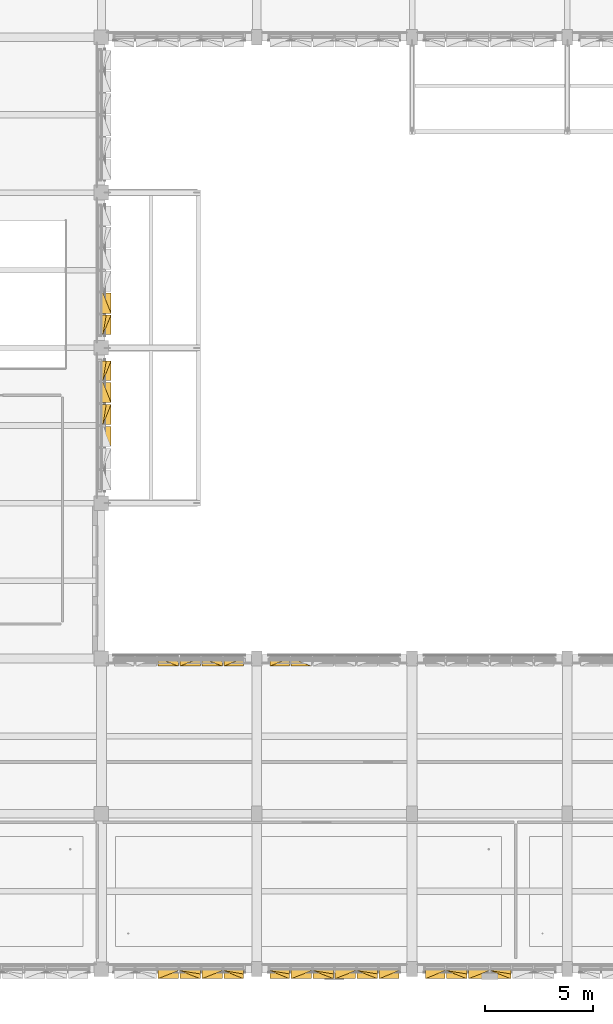
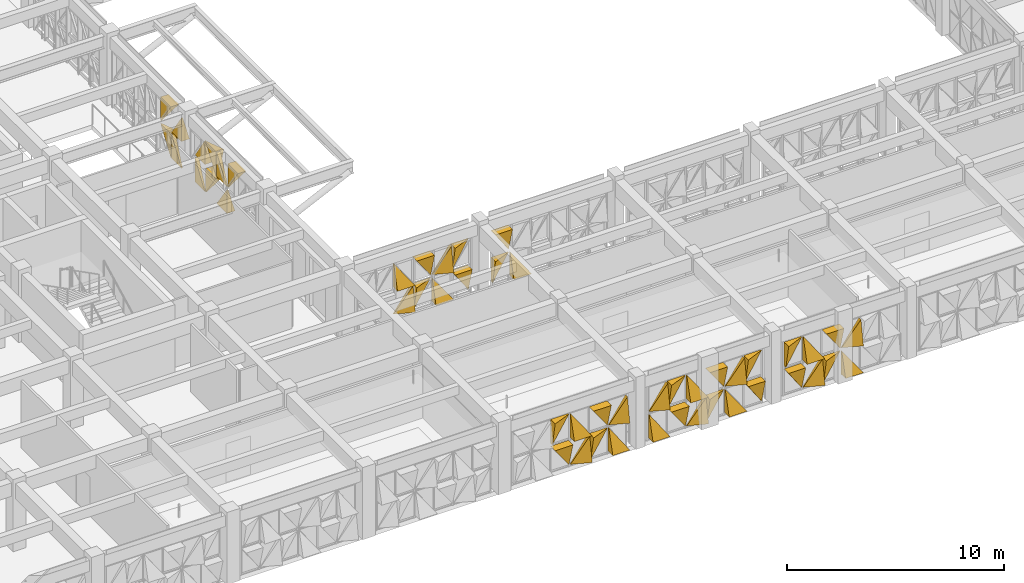
# One storey, part 82 of 88: 50 coverings.
"""IFC4 building model written with IfcOpenShell, lengths in metres."""

from ifc_helpers import new_model, si_unit, direction, frame, origin, place, context, subcontext, project, spatial, polygons, material, layer, layer_set, type_object, element, save


model = new_model("IFC4")

# Units and contexts
model_context = context("Model", 3, precision=1e-05, world=origin(), true_north=direction((0.0, 1.0)))
body_context = subcontext(model_context, "Body", "Model", "MODEL_VIEW")
ifc_project = project(units=[si_unit("LENGTHUNIT", "METRE"), si_unit("AREAUNIT", "SQUARE_METRE"), si_unit("VOLUMEUNIT", "CUBIC_METRE"), si_unit("PLANEANGLEUNIT", "RADIAN"), si_unit("MASSUNIT", "GRAM", prefix="KILO")], contexts=[model_context])

# Site, building, storey
site_placement = place(None, origin())
site = spatial("IfcSite", under=ifc_project, at=site_placement, CompositionType="ELEMENT")
building_placement = place(site_placement, origin())
building = spatial("IfcBuilding", under=site, at=building_placement, Name="Alvorim Cloister Faculty of Sciences", CompositionType="ELEMENT")
storey_placement = place(building_placement, frame((0.0, 0.0, 4.5)))
storey = spatial("IfcBuildingStorey", under=building, at=storey_placement, Name="L01", CompositionType="ELEMENT", Elevation=4.5)

# Coverings
ifc_material = material(Name="Perforated Bronze Alloy Sheet", Category="metal")
ifc_layer = layer(ifc_material, 0.0380859375)
ifc_layer_set = layer_set([ifc_layer], Name="Perforated Bronze Alloy Sheet")
covering_type = type_object("IfcCoveringType", Name="COV-TRI-BRZ", PredefinedType="CLADDING", material=ifc_layer_set)
covering_1_placement = place(storey_placement, frame((28.844970703125, 29.4150390625, 0.159912109375), z_axis=(0.0, 0.0, 1.0), x_axis=(0.0, 1.0, 0.0)))
element("IfcCovering", 1, at=covering_1_placement, inside=storey, type_object=covering_type, Name="Diagonal Solid Metal Triangle TRI-BR", PredefinedType="CLADDING", context=body_context, shape_type="Tessellation", body=[
    polygons([(0.002, 0.0260009765625, 0.0), (0.907470703125, 0.0260009765625, 0.0), (0.907470703125, 0.0260009765625, 1.342970703125), (0.002, -0.03, 0.0), (0.907470703125, -0.4, 0.0), (0.907470703125, -0.18000000000000002, 1.342970703125)], [[[1, 3, 2]], [[4, 5, 6]], [[1, 2, 5, 4]], [[2, 3, 6, 5]], [[3, 1, 4, 6]]], closed=True),
])
covering_2_placement = place(storey_placement, frame((28.844970703125, 29.4150390625, 1.6650390625), z_axis=(0.0, 0.0, 1.0), x_axis=(0.0, 1.0, 0.0)))
element("IfcCovering", 2, at=covering_2_placement, inside=storey, type_object=covering_type, Name="Diagonal Solid Metal Triangle TRI-BL", PredefinedType="CLADDING", context=body_context, shape_type="Tessellation", body=[
    polygons([(0.0, 0.0260009765625, 0.0), (0.905470703125, 0.0260009765625, 0.0), (0.0, 0.0260009765625, 1.342970703125), (0.0, -0.4, 0.0), (0.905470703125, -0.4, 0.0), (0.0, -0.03, 1.342970703125)], [[[1, 3, 2]], [[4, 5, 6]], [[1, 2, 5, 4]], [[2, 3, 6, 5]], [[3, 1, 4, 6]]], closed=True),
])
covering_3_placement = place(storey_placement, frame((28.844970703125, 30.3974609375, 0.159912109375), z_axis=(0.0, 0.0, 1.0), x_axis=(0.0, 1.0, 0.0)))
element("IfcCovering", 3, at=covering_3_placement, inside=storey, type_object=covering_type, Name="Diagonal Solid Metal Triangle TRI-TL", PredefinedType="CLADDING", context=body_context, shape_type="Tessellation", body=[
    polygons([(0.943068359375, 0.0260009765625, 1.344970703125), (0.0, 0.0260009765625, 1.344970703125), (0.0, 0.0260009765625, 0.002), (0.943068359375, -0.03, 1.344970703125), (0.0, -0.4, 1.344970703125), (0.0, -0.13999999999999999, 0.002)], [[[1, 3, 2]], [[4, 5, 6]], [[1, 2, 5, 4]], [[2, 3, 6, 5]], [[3, 1, 4, 6]]], closed=True),
])
for number, where, z_axis, x_axis, name in (
    (4, (28.844970703125, 30.3974609375, 1.6650390625), (0.0, 0.0, 1.0), (0.0, 1.0, 0.0), "Diagonal Solid Metal Triangle TRI-TR"),
    (5, (28.844970703125, 24.217529296875, 1.6650390625), (0.0, 0.0, 1.0), (0.0, 1.0, 0.0), "Diagonal Solid Metal Triangle TRI-TR"),
):
    element("IfcCovering", number, at=place(storey_placement, frame(where, z_axis=z_axis, x_axis=x_axis)), inside=storey, type_object=covering_type, Name=name, PredefinedType="CLADDING", context=body_context, shape_type="Tessellation", body=[
        polygons([(0.945068359375, 0.0260009765625, 0.002), (0.945068359375, 0.0260009765625, 1.344970703125), (0.002, 0.0260009765625, 1.344970703125), (0.945068359375, -0.03, 0.002), (0.945068359375, -0.4, 1.344970703125), (0.002, -0.4, 1.344970703125)], [[[1, 3, 2]], [[4, 5, 6]], [[1, 2, 5, 4]], [[2, 3, 6, 5]], [[3, 1, 4, 6]]], closed=True),
    ])
covering_4_placement = place(storey_placement, frame((28.844970703125, 25.237548828125, 0.159912109375), z_axis=(0.0, 0.0, 1.0), x_axis=(0.0, 1.0, 0.0)))
element("IfcCovering", 6, at=covering_4_placement, inside=storey, type_object=covering_type, Name="Diagonal Solid Metal Triangle TRI-BL", PredefinedType="CLADDING", context=body_context, shape_type="Tessellation", body=[
    polygons([(0.0, 0.0260009765625, 0.0), (0.943068359375, 0.0260009765625, 0.0), (0.0, 0.0260009765625, 1.342970703125), (0.0, -0.4, 0.0), (0.943068359375, -0.4, 0.0), (0.0, -0.03, 1.342970703125)], [[[1, 3, 2]], [[4, 5, 6]], [[1, 2, 5, 4]], [[2, 3, 6, 5]], [[3, 1, 4, 6]]], closed=True),
])
covering_5_placement = place(storey_placement, frame((28.844970703125, 25.237548828125, 1.6650390625), z_axis=(0.0, 0.0, 1.0), x_axis=(0.0, 1.0, 0.0)))
element("IfcCovering", 7, at=covering_5_placement, inside=storey, type_object=covering_type, Name="Diagonal Solid Metal Triangle TRI-BR", PredefinedType="CLADDING", context=body_context, shape_type="Tessellation", body=[
    polygons([(0.002, 0.0260009765625, 0.0), (0.945068359375, 0.0260009765625, 0.0), (0.945068359375, 0.0260009765625, 1.342970703125), (0.002, -0.03, 0.0), (0.945068359375, -0.4, 0.0), (0.945068359375, -0.18000000000000002, 1.342970703125)], [[[1, 3, 2]], [[4, 5, 6]], [[1, 2, 5, 4]], [[2, 3, 6, 5]], [[3, 1, 4, 6]]], closed=True),
])
covering_6_placement = place(storey_placement, frame((28.844970703125, 26.257568359375, 0.159912109375), z_axis=(0.0, 0.0, 1.0), x_axis=(0.0, 1.0, 0.0)))
element("IfcCovering", 8, at=covering_6_placement, inside=storey, type_object=covering_type, Name="Diagonal Solid Metal Triangle TRI-TR", PredefinedType="CLADDING", context=body_context, shape_type="Tessellation", body=[
    polygons([(0.945068359375, 0.0260009765625, 0.002), (0.945068359375, 0.0260009765625, 1.344970703125), (0.002, 0.0260009765625, 1.344970703125), (0.945068359375, -0.03, 0.002), (0.945068359375, -0.4, 1.344970703125), (0.002, -0.4, 1.344970703125)], [[[1, 3, 2]], [[4, 5, 6]], [[1, 2, 5, 4]], [[2, 3, 6, 5]], [[3, 1, 4, 6]]], closed=True),
])
covering_7_placement = place(storey_placement, frame((28.844970703125, 26.257568359375, 1.6650390625), z_axis=(0.0, 0.0, 1.0), x_axis=(0.0, 1.0, 0.0)))
element("IfcCovering", 9, at=covering_7_placement, inside=storey, type_object=covering_type, Name="Diagonal Solid Metal Triangle TRI-TL", PredefinedType="CLADDING", context=body_context, shape_type="Tessellation", body=[
    polygons([(0.943068359375, 0.0260009765625, 1.344970703125), (0.0, 0.0260009765625, 1.344970703125), (0.0, 0.0260009765625, 0.002), (0.943068359375, -0.03, 1.344970703125), (0.0, -0.4, 1.344970703125), (0.0, -0.13999999999999999, 0.002)], [[[1, 3, 2]], [[4, 5, 6]], [[1, 2, 5, 4]], [[2, 3, 6, 5]], [[3, 1, 4, 6]]], closed=True),
])
covering_8_placement = place(storey_placement, frame((28.844970703125, 27.277587890625, 0.159912109375), z_axis=(0.0, 0.0, 1.0), x_axis=(0.0, 1.0, 0.0)))
element("IfcCovering", 10, at=covering_8_placement, inside=storey, type_object=covering_type, Name="Diagonal Solid Metal Triangle TRI-BR", PredefinedType="CLADDING", context=body_context, shape_type="Tessellation", body=[
    polygons([(0.002, 0.0260009765625, 0.0), (0.907470703125, 0.0260009765625, 0.0), (0.907470703125, 0.0260009765625, 1.342970703125), (0.002, -0.03, 0.0), (0.907470703125, -0.4, 0.0), (0.907470703125, -0.18000000000000002, 1.342970703125)], [[[1, 3, 2]], [[4, 5, 6]], [[1, 2, 5, 4]], [[2, 3, 6, 5]], [[3, 1, 4, 6]]], closed=True),
])
covering_9_placement = place(storey_placement, frame((28.844970703125, 27.277587890625, 1.6650390625), z_axis=(0.0, 0.0, 1.0), x_axis=(0.0, 1.0, 0.0)))
element("IfcCovering", 11, at=covering_9_placement, inside=storey, type_object=covering_type, Name="Diagonal Solid Metal Triangle TRI-BL", PredefinedType="CLADDING", context=body_context, shape_type="Tessellation", body=[
    polygons([(0.0, 0.0260009765625, 0.0), (0.905470703125, 0.0260009765625, 0.0), (0.0, 0.0260009765625, 1.342970703125), (0.0, -0.4, 0.0), (0.905470703125, -0.4, 0.0), (0.0, -0.03, 1.342970703125)], [[[1, 3, 2]], [[4, 5, 6]], [[1, 2, 5, 4]], [[2, 3, 6, 5]], [[3, 1, 4, 6]]], closed=True),
])
covering_10_placement = place(storey_placement, frame((31.41748046875, 14.445068359375, 0.159912109375), z_axis=(0.0, 0.0, 1.0), x_axis=(1.0, 0.0, 0.0)))
element("IfcCovering", 12, at=covering_10_placement, inside=storey, type_object=covering_type, Name="Diagonal Solid Metal Triangle TRI-BR", PredefinedType="CLADDING", context=body_context, shape_type="Tessellation", body=[
    polygons([(0.002, 0.0260009765625, 0.0), (0.945068359375, 0.0260009765625, 0.0), (0.945068359375, 0.0260009765625, 1.342970703125), (0.002, -0.03, 0.0), (0.945068359375, -0.4, 0.0), (0.945068359375, -0.18000000000000002, 1.342970703125)], [[[1, 3, 2]], [[4, 5, 6]], [[1, 2, 5, 4]], [[2, 3, 6, 5]], [[3, 1, 4, 6]]], closed=True),
])
covering_11_placement = place(storey_placement, frame((31.41748046875, 14.445068359375, 1.6650390625), z_axis=(0.0, 0.0, 1.0), x_axis=(1.0, 0.0, 0.0)))
element("IfcCovering", 13, at=covering_11_placement, inside=storey, type_object=covering_type, Name="Diagonal Solid Metal Triangle TRI-BL", PredefinedType="CLADDING", context=body_context, shape_type="Tessellation", body=[
    polygons([(0.0, 0.0260009765625, 0.0), (0.943068359375, 0.0260009765625, 0.0), (0.0, 0.0260009765625, 1.342970703125), (0.0, -0.4, 0.0), (0.943068359375, -0.4, 0.0), (0.0, -0.03, 1.342970703125)], [[[1, 3, 2]], [[4, 5, 6]], [[1, 2, 5, 4]], [[2, 3, 6, 5]], [[3, 1, 4, 6]]], closed=True),
])
covering_12_placement = place(storey_placement, frame((32.4375, 14.445068359375, 0.159912109375), z_axis=(0.0, 0.0, 1.0), x_axis=(1.0, 0.0, 0.0)))
element("IfcCovering", 14, at=covering_12_placement, inside=storey, type_object=covering_type, Name="Diagonal Solid Metal Triangle TRI-TL", PredefinedType="CLADDING", context=body_context, shape_type="Tessellation", body=[
    polygons([(0.943068359375, 0.0260009765625, 1.344970703125), (0.0, 0.0260009765625, 1.344970703125), (0.0, 0.0260009765625, 0.002), (0.943068359375, -0.03, 1.344970703125), (0.0, -0.4, 1.344970703125), (0.0, -0.13999999999999999, 0.002)], [[[1, 3, 2]], [[4, 5, 6]], [[1, 2, 5, 4]], [[2, 3, 6, 5]], [[3, 1, 4, 6]]], closed=True),
])
covering_13_placement = place(storey_placement, frame((32.4375, 14.445068359375, 1.6650390625), z_axis=(0.0, 0.0, 1.0), x_axis=(1.0, 0.0, 0.0)))
element("IfcCovering", 15, at=covering_13_placement, inside=storey, type_object=covering_type, Name="Diagonal Solid Metal Triangle TRI-TR", PredefinedType="CLADDING", context=body_context, shape_type="Tessellation", body=[
    polygons([(0.945068359375, 0.0260009765625, 0.002), (0.945068359375, 0.0260009765625, 1.344970703125), (0.002, 0.0260009765625, 1.344970703125), (0.945068359375, -0.03, 0.002), (0.945068359375, -0.4, 1.344970703125), (0.002, -0.4, 1.344970703125)], [[[1, 3, 2]], [[4, 5, 6]], [[1, 2, 5, 4]], [[2, 3, 6, 5]], [[3, 1, 4, 6]]], closed=True),
])
covering_14_placement = place(storey_placement, frame((33.45751953125, 14.445068359375, 0.159912109375), z_axis=(0.0, 0.0, 1.0), x_axis=(1.0, 0.0, 0.0)))
element("IfcCovering", 16, at=covering_14_placement, inside=storey, type_object=covering_type, Name="Diagonal Solid Metal Triangle TRI-BL", PredefinedType="CLADDING", context=body_context, shape_type="Tessellation", body=[
    polygons([(0.0, 0.0260009765625, 0.0), (0.943068359375, 0.0260009765625, 0.0), (0.0, 0.0260009765625, 1.342970703125), (0.0, -0.4, 0.0), (0.943068359375, -0.4, 0.0), (0.0, -0.03, 1.342970703125)], [[[1, 3, 2]], [[4, 5, 6]], [[1, 2, 5, 4]], [[2, 3, 6, 5]], [[3, 1, 4, 6]]], closed=True),
])
covering_15_placement = place(storey_placement, frame((33.45751953125, 14.445068359375, 1.6650390625), z_axis=(0.0, 0.0, 1.0), x_axis=(1.0, 0.0, 0.0)))
element("IfcCovering", 17, at=covering_15_placement, inside=storey, type_object=covering_type, Name="Diagonal Solid Metal Triangle TRI-BR", PredefinedType="CLADDING", context=body_context, shape_type="Tessellation", body=[
    polygons([(0.002, 0.0260009765625, 0.0), (0.945068359375, 0.0260009765625, 0.0), (0.945068359375, 0.0260009765625, 1.342970703125), (0.002, -0.03, 0.0), (0.945068359375, -0.4, 0.0), (0.945068359375, -0.18000000000000002, 1.342970703125)], [[[1, 3, 2]], [[4, 5, 6]], [[1, 2, 5, 4]], [[2, 3, 6, 5]], [[3, 1, 4, 6]]], closed=True),
])
covering_16_placement = place(storey_placement, frame((34.4775390625, 14.445068359375, 0.159912109375), z_axis=(0.0, 0.0, 1.0), x_axis=(1.0, 0.0, 0.0)))
element("IfcCovering", 18, at=covering_16_placement, inside=storey, type_object=covering_type, Name="Diagonal Solid Metal Triangle TRI-TR", PredefinedType="CLADDING", context=body_context, shape_type="Tessellation", body=[
    polygons([(0.907470703125, 0.0260009765625, 0.002), (0.907470703125, 0.0260009765625, 1.344970703125), (0.002, 0.0260009765625, 1.344970703125), (0.907470703125, -0.03, 0.002), (0.907470703125, -0.4, 1.344970703125), (0.002, -0.4, 1.344970703125)], [[[1, 3, 2]], [[4, 5, 6]], [[1, 2, 5, 4]], [[2, 3, 6, 5]], [[3, 1, 4, 6]]], closed=True),
])
for number, where, z_axis, x_axis, name in (
    (19, (34.4775390625, 14.445068359375, 1.6650390625), (0.0, 0.0, 1.0), (1.0, 0.0, 0.0), "Diagonal Solid Metal Triangle TRI-TL"),
    (20, (36.614990234375, 14.445068359375, 0.159912109375), (0.0, 0.0, 1.0), (1.0, 0.0, 0.0), "Diagonal Solid Metal Triangle TRI-TL"),
):
    element("IfcCovering", number, at=place(storey_placement, frame(where, z_axis=z_axis, x_axis=x_axis)), inside=storey, type_object=covering_type, Name=name, PredefinedType="CLADDING", context=body_context, shape_type="Tessellation", body=[
        polygons([(0.905470703125, 0.0260009765625, 1.344970703125), (0.0, 0.0260009765625, 1.344970703125), (0.0, 0.0260009765625, 0.002), (0.905470703125, -0.03, 1.344970703125), (0.0, -0.4, 1.344970703125), (0.0, -0.13999999999999999, 0.002)], [[[1, 3, 2]], [[4, 5, 6]], [[1, 2, 5, 4]], [[2, 3, 6, 5]], [[3, 1, 4, 6]]], closed=True),
    ])
covering_17_placement = place(storey_placement, frame((36.614990234375, 14.445068359375, 1.6650390625), z_axis=(0.0, 0.0, 1.0), x_axis=(1.0, 0.0, 0.0)))
element("IfcCovering", 21, at=covering_17_placement, inside=storey, type_object=covering_type, Name="Diagonal Solid Metal Triangle TRI-TR", PredefinedType="CLADDING", context=body_context, shape_type="Tessellation", body=[
    polygons([(0.907470703125, 0.0260009765625, 0.002), (0.907470703125, 0.0260009765625, 1.344970703125), (0.002, 0.0260009765625, 1.344970703125), (0.907470703125, -0.03, 0.002), (0.907470703125, -0.4, 1.344970703125), (0.002, -0.4, 1.344970703125)], [[[1, 3, 2]], [[4, 5, 6]], [[1, 2, 5, 4]], [[2, 3, 6, 5]], [[3, 1, 4, 6]]], closed=True),
])
covering_18_placement = place(storey_placement, frame((37.597412109375, 14.445068359375, 0.159912109375), z_axis=(0.0, 0.0, 1.0), x_axis=(1.0, 0.0, 0.0)))
element("IfcCovering", 22, at=covering_18_placement, inside=storey, type_object=covering_type, Name="Diagonal Solid Metal Triangle TRI-BL", PredefinedType="CLADDING", context=body_context, shape_type="Tessellation", body=[
    polygons([(0.0, 0.0260009765625, 0.0), (0.943068359375, 0.0260009765625, 0.0), (0.0, 0.0260009765625, 1.342970703125), (0.0, -0.4, 0.0), (0.943068359375, -0.4, 0.0), (0.0, -0.03, 1.342970703125)], [[[1, 3, 2]], [[4, 5, 6]], [[1, 2, 5, 4]], [[2, 3, 6, 5]], [[3, 1, 4, 6]]], closed=True),
])
covering_19_placement = place(storey_placement, frame((43.81494140625, -0.044921875, 0.159912109375), z_axis=(0.0, 0.0, 1.0), x_axis=(1.0, 0.0, 0.0)))
element("IfcCovering", 23, at=covering_19_placement, inside=storey, type_object=covering_type, Name="Diagonal Solid Metal Triangle TRI-TR", PredefinedType="CLADDING", context=body_context, shape_type="Tessellation", body=[
    polygons([(0.907470703125, 0.0260009765625, 0.002), (0.907470703125, 0.0260009765625, 1.344970703125), (0.002, 0.0260009765625, 1.344970703125), (0.907470703125, -0.03, 0.002), (0.907470703125, -0.4, 1.344970703125), (0.002, -0.4, 1.344970703125)], [[[1, 3, 2]], [[4, 5, 6]], [[1, 2, 5, 4]], [[2, 3, 6, 5]], [[3, 1, 4, 6]]], closed=True),
])
covering_20_placement = place(storey_placement, frame((43.81494140625, -0.044921875, 1.6650390625), z_axis=(0.0, 0.0, 1.0), x_axis=(1.0, 0.0, 0.0)))
element("IfcCovering", 24, at=covering_20_placement, inside=storey, type_object=covering_type, Name="Diagonal Solid Metal Triangle TRI-TL", PredefinedType="CLADDING", context=body_context, shape_type="Tessellation", body=[
    polygons([(0.905470703125, 0.0260009765625, 1.344970703125), (0.0, 0.0260009765625, 1.344970703125), (0.0, 0.0260009765625, 0.002), (0.905470703125, -0.03, 1.344970703125), (0.0, -0.4, 1.344970703125), (0.0, -0.13999999999999999, 0.002)], [[[1, 3, 2]], [[4, 5, 6]], [[1, 2, 5, 4]], [[2, 3, 6, 5]], [[3, 1, 4, 6]]], closed=True),
])
covering_21_placement = place(storey_placement, frame((44.797607421875, -0.044921875, 0.159912109375), z_axis=(0.0, 0.0, 1.0), x_axis=(1.0, 0.0, 0.0)))
element("IfcCovering", 25, at=covering_21_placement, inside=storey, type_object=covering_type, Name="Diagonal Solid Metal Triangle TRI-BR", PredefinedType="CLADDING", context=body_context, shape_type="Tessellation", body=[
    polygons([(0.002, 0.0260009765625, 0.0), (0.945068359375, 0.0260009765625, 0.0), (0.945068359375, 0.0260009765625, 1.342970703125), (0.002, -0.03, 0.0), (0.945068359375, -0.4, 0.0), (0.945068359375, -0.18000000000000002, 1.342970703125)], [[[1, 3, 2]], [[4, 5, 6]], [[1, 2, 5, 4]], [[2, 3, 6, 5]], [[3, 1, 4, 6]]], closed=True),
])
covering_22_placement = place(storey_placement, frame((44.797607421875, -0.044921875, 1.6650390625), z_axis=(0.0, 0.0, 1.0), x_axis=(1.0, 0.0, 0.0)))
element("IfcCovering", 26, at=covering_22_placement, inside=storey, type_object=covering_type, Name="Diagonal Solid Metal Triangle TRI-BL", PredefinedType="CLADDING", context=body_context, shape_type="Tessellation", body=[
    polygons([(0.0, 0.0260009765625, 0.0), (0.943068359375, 0.0260009765625, 0.0), (0.0, 0.0260009765625, 1.342970703125), (0.0, -0.4, 0.0), (0.943068359375, -0.4, 0.0), (0.0, -0.03, 1.342970703125)], [[[1, 3, 2]], [[4, 5, 6]], [[1, 2, 5, 4]], [[2, 3, 6, 5]], [[3, 1, 4, 6]]], closed=True),
])
covering_23_placement = place(storey_placement, frame((45.8173828125, -0.044921875, 0.159912109375), z_axis=(0.0, 0.0, 1.0), x_axis=(1.0, 0.0, 0.0)))
element("IfcCovering", 27, at=covering_23_placement, inside=storey, type_object=covering_type, Name="Diagonal Solid Metal Triangle TRI-TL", PredefinedType="CLADDING", context=body_context, shape_type="Tessellation", body=[
    polygons([(0.943068359375, 0.0260009765625, 1.344970703125), (0.0, 0.0260009765625, 1.344970703125), (0.0, 0.0260009765625, 0.002), (0.943068359375, -0.03, 1.344970703125), (0.0, -0.4, 1.344970703125), (0.0, -0.13999999999999999, 0.002)], [[[1, 3, 2]], [[4, 5, 6]], [[1, 2, 5, 4]], [[2, 3, 6, 5]], [[3, 1, 4, 6]]], closed=True),
])
covering_24_placement = place(storey_placement, frame((45.8173828125, -0.044921875, 1.6650390625), z_axis=(0.0, 0.0, 1.0), x_axis=(1.0, 0.0, 0.0)))
element("IfcCovering", 28, at=covering_24_placement, inside=storey, type_object=covering_type, Name="Diagonal Solid Metal Triangle TRI-TR", PredefinedType="CLADDING", context=body_context, shape_type="Tessellation", body=[
    polygons([(0.945068359375, 0.0260009765625, 0.002), (0.945068359375, 0.0260009765625, 1.344970703125), (0.002, 0.0260009765625, 1.344970703125), (0.945068359375, -0.03, 0.002), (0.945068359375, -0.4, 1.344970703125), (0.002, -0.4, 1.344970703125)], [[[1, 3, 2]], [[4, 5, 6]], [[1, 2, 5, 4]], [[2, 3, 6, 5]], [[3, 1, 4, 6]]], closed=True),
])
covering_25_placement = place(storey_placement, frame((46.83740234375, -0.044921875, 0.159912109375), z_axis=(0.0, 0.0, 1.0), x_axis=(1.0, 0.0, 0.0)))
element("IfcCovering", 29, at=covering_25_placement, inside=storey, type_object=covering_type, Name="Diagonal Solid Metal Triangle TRI-BL", PredefinedType="CLADDING", context=body_context, shape_type="Tessellation", body=[
    polygons([(0.0, 0.0260009765625, 0.0), (0.943068359375, 0.0260009765625, 0.0), (0.0, 0.0260009765625, 1.342970703125), (0.0, -0.4, 0.0), (0.943068359375, -0.4, 0.0), (0.0, -0.03, 1.342970703125)], [[[1, 3, 2]], [[4, 5, 6]], [[1, 2, 5, 4]], [[2, 3, 6, 5]], [[3, 1, 4, 6]]], closed=True),
])
covering_26_placement = place(storey_placement, frame((46.83740234375, -0.044921875, 1.6650390625), z_axis=(0.0, 0.0, 1.0), x_axis=(1.0, 0.0, 0.0)))
element("IfcCovering", 30, at=covering_26_placement, inside=storey, type_object=covering_type, Name="Diagonal Solid Metal Triangle TRI-BR", PredefinedType="CLADDING", context=body_context, shape_type="Tessellation", body=[
    polygons([(0.002, 0.0260009765625, 0.0), (0.945068359375, 0.0260009765625, 0.0), (0.945068359375, 0.0260009765625, 1.342970703125), (0.002, -0.03, 0.0), (0.945068359375, -0.4, 0.0), (0.945068359375, -0.18000000000000002, 1.342970703125)], [[[1, 3, 2]], [[4, 5, 6]], [[1, 2, 5, 4]], [[2, 3, 6, 5]], [[3, 1, 4, 6]]], closed=True),
])
covering_27_placement = place(storey_placement, frame((36.614990234375, -0.044921875, 0.159912109375), z_axis=(0.0, 0.0, 1.0), x_axis=(1.0, 0.0, 0.0)))
element("IfcCovering", 31, at=covering_27_placement, inside=storey, type_object=covering_type, Name="Diagonal Solid Metal Triangle TRI-BL", PredefinedType="CLADDING", context=body_context, shape_type="Tessellation", body=[
    polygons([(0.0, 0.0260009765625, 0.0), (0.905470703125, 0.0260009765625, 0.0), (0.0, 0.0260009765625, 1.342970703125), (0.0, -0.4, 0.0), (0.905470703125, -0.4, 0.0), (0.0, -0.03, 1.342970703125)], [[[1, 3, 2]], [[4, 5, 6]], [[1, 2, 5, 4]], [[2, 3, 6, 5]], [[3, 1, 4, 6]]], closed=True),
])
covering_28_placement = place(storey_placement, frame((36.614990234375, -0.044921875, 1.6650390625), z_axis=(0.0, 0.0, 1.0), x_axis=(1.0, 0.0, 0.0)))
element("IfcCovering", 32, at=covering_28_placement, inside=storey, type_object=covering_type, Name="Diagonal Solid Metal Triangle TRI-BR", PredefinedType="CLADDING", context=body_context, shape_type="Tessellation", body=[
    polygons([(0.002, 0.0260009765625, 0.0), (0.907470703125, 0.0260009765625, 0.0), (0.907470703125, 0.0260009765625, 1.342970703125), (0.002, -0.03, 0.0), (0.907470703125, -0.4, 0.0), (0.907470703125, -0.18000000000000002, 1.342970703125)], [[[1, 3, 2]], [[4, 5, 6]], [[1, 2, 5, 4]], [[2, 3, 6, 5]], [[3, 1, 4, 6]]], closed=True),
])
covering_29_placement = place(storey_placement, frame((37.597412109375, -0.044921875, 0.159912109375), z_axis=(0.0, 0.0, 1.0), x_axis=(1.0, 0.0, 0.0)))
element("IfcCovering", 33, at=covering_29_placement, inside=storey, type_object=covering_type, Name="Diagonal Solid Metal Triangle TRI-TR", PredefinedType="CLADDING", context=body_context, shape_type="Tessellation", body=[
    polygons([(0.945068359375, 0.0260009765625, 0.002), (0.945068359375, 0.0260009765625, 1.344970703125), (0.002, 0.0260009765625, 1.344970703125), (0.945068359375, -0.03, 0.002), (0.945068359375, -0.4, 1.344970703125), (0.002, -0.4, 1.344970703125)], [[[1, 3, 2]], [[4, 5, 6]], [[1, 2, 5, 4]], [[2, 3, 6, 5]], [[3, 1, 4, 6]]], closed=True),
])
covering_30_placement = place(storey_placement, frame((37.597412109375, -0.044921875, 1.6650390625), z_axis=(0.0, 0.0, 1.0), x_axis=(1.0, 0.0, 0.0)))
element("IfcCovering", 34, at=covering_30_placement, inside=storey, type_object=covering_type, Name="Diagonal Solid Metal Triangle TRI-TL", PredefinedType="CLADDING", context=body_context, shape_type="Tessellation", body=[
    polygons([(0.943068359375, 0.0260009765625, 1.344970703125), (0.0, 0.0260009765625, 1.344970703125), (0.0, 0.0260009765625, 0.002), (0.943068359375, -0.03, 1.344970703125), (0.0, -0.4, 1.344970703125), (0.0, -0.13999999999999999, 0.002)], [[[1, 3, 2]], [[4, 5, 6]], [[1, 2, 5, 4]], [[2, 3, 6, 5]], [[3, 1, 4, 6]]], closed=True),
])
covering_31_placement = place(storey_placement, frame((38.617431640625, -0.044921875, 0.159912109375), z_axis=(0.0, 0.0, 1.0), x_axis=(1.0, 0.0, 0.0)))
element("IfcCovering", 35, at=covering_31_placement, inside=storey, type_object=covering_type, Name="Diagonal Solid Metal Triangle TRI-BR", PredefinedType="CLADDING", context=body_context, shape_type="Tessellation", body=[
    polygons([(0.002, 0.0260009765625, 0.0), (0.945068359375, 0.0260009765625, 0.0), (0.945068359375, 0.0260009765625, 1.342970703125), (0.002, -0.03, 0.0), (0.945068359375, -0.4, 0.0), (0.945068359375, -0.18000000000000002, 1.342970703125)], [[[1, 3, 2]], [[4, 5, 6]], [[1, 2, 5, 4]], [[2, 3, 6, 5]], [[3, 1, 4, 6]]], closed=True),
])
covering_32_placement = place(storey_placement, frame((38.617431640625, -0.044921875, 1.6650390625), z_axis=(0.0, 0.0, 1.0), x_axis=(1.0, 0.0, 0.0)))
element("IfcCovering", 36, at=covering_32_placement, inside=storey, type_object=covering_type, Name="Diagonal Solid Metal Triangle TRI-BL", PredefinedType="CLADDING", context=body_context, shape_type="Tessellation", body=[
    polygons([(0.0, 0.0260009765625, 0.0), (0.943068359375, 0.0260009765625, 0.0), (0.0, 0.0260009765625, 1.342970703125), (0.0, -0.4, 0.0), (0.943068359375, -0.4, 0.0), (0.0, -0.03, 1.342970703125)], [[[1, 3, 2]], [[4, 5, 6]], [[1, 2, 5, 4]], [[2, 3, 6, 5]], [[3, 1, 4, 6]]], closed=True),
])
covering_33_placement = place(storey_placement, frame((39.637451171875, -0.044921875, 0.159912109375), z_axis=(0.0, 0.0, 1.0), x_axis=(1.0, 0.0, 0.0)))
element("IfcCovering", 37, at=covering_33_placement, inside=storey, type_object=covering_type, Name="Diagonal Solid Metal Triangle TRI-TL", PredefinedType="CLADDING", context=body_context, shape_type="Tessellation", body=[
    polygons([(0.943068359375, 0.0260009765625, 1.344970703125), (0.0, 0.0260009765625, 1.344970703125), (0.0, 0.0260009765625, 0.002), (0.943068359375, -0.03, 1.344970703125), (0.0, -0.4, 1.344970703125), (0.0, -0.13999999999999999, 0.002)], [[[1, 3, 2]], [[4, 5, 6]], [[1, 2, 5, 4]], [[2, 3, 6, 5]], [[3, 1, 4, 6]]], closed=True),
])
covering_34_placement = place(storey_placement, frame((39.637451171875, -0.044921875, 1.6650390625), z_axis=(0.0, 0.0, 1.0), x_axis=(1.0, 0.0, 0.0)))
element("IfcCovering", 38, at=covering_34_placement, inside=storey, type_object=covering_type, Name="Diagonal Solid Metal Triangle TRI-TR", PredefinedType="CLADDING", context=body_context, shape_type="Tessellation", body=[
    polygons([(0.945068359375, 0.0260009765625, 0.002), (0.945068359375, 0.0260009765625, 1.344970703125), (0.002, 0.0260009765625, 1.344970703125), (0.945068359375, -0.03, 0.002), (0.945068359375, -0.4, 1.344970703125), (0.002, -0.4, 1.344970703125)], [[[1, 3, 2]], [[4, 5, 6]], [[1, 2, 5, 4]], [[2, 3, 6, 5]], [[3, 1, 4, 6]]], closed=True),
])
covering_35_placement = place(storey_placement, frame((40.657470703125, -0.044921875, 0.159912109375), z_axis=(0.0, 0.0, 1.0), x_axis=(1.0, 0.0, 0.0)))
element("IfcCovering", 39, at=covering_35_placement, inside=storey, type_object=covering_type, Name="Diagonal Solid Metal Triangle TRI-BL", PredefinedType="CLADDING", context=body_context, shape_type="Tessellation", body=[
    polygons([(0.0, 0.0260009765625, 0.0), (0.943068359375, 0.0260009765625, 0.0), (0.0, 0.0260009765625, 1.342970703125), (0.0, -0.4, 0.0), (0.943068359375, -0.4, 0.0), (0.0, -0.03, 1.342970703125)], [[[1, 3, 2]], [[4, 5, 6]], [[1, 2, 5, 4]], [[2, 3, 6, 5]], [[3, 1, 4, 6]]], closed=True),
])
covering_36_placement = place(storey_placement, frame((40.657470703125, -0.044921875, 1.6650390625), z_axis=(0.0, 0.0, 1.0), x_axis=(1.0, 0.0, 0.0)))
element("IfcCovering", 40, at=covering_36_placement, inside=storey, type_object=covering_type, Name="Diagonal Solid Metal Triangle TRI-BR", PredefinedType="CLADDING", context=body_context, shape_type="Tessellation", body=[
    polygons([(0.002, 0.0260009765625, 0.0), (0.945068359375, 0.0260009765625, 0.0), (0.945068359375, 0.0260009765625, 1.342970703125), (0.002, -0.03, 0.0), (0.945068359375, -0.4, 0.0), (0.945068359375, -0.18000000000000002, 1.342970703125)], [[[1, 3, 2]], [[4, 5, 6]], [[1, 2, 5, 4]], [[2, 3, 6, 5]], [[3, 1, 4, 6]]], closed=True),
])
covering_37_placement = place(storey_placement, frame((41.677490234375, -0.044921875, 0.159912109375), z_axis=(0.0, 0.0, 1.0), x_axis=(1.0, 0.0, 0.0)))
element("IfcCovering", 41, at=covering_37_placement, inside=storey, type_object=covering_type, Name="Diagonal Solid Metal Triangle TRI-TR", PredefinedType="CLADDING", context=body_context, shape_type="Tessellation", body=[
    polygons([(0.907470703125, 0.0260009765625, 0.002), (0.907470703125, 0.0260009765625, 1.344970703125), (0.002, 0.0260009765625, 1.344970703125), (0.907470703125, -0.03, 0.002), (0.907470703125, -0.4, 1.344970703125), (0.002, -0.4, 1.344970703125)], [[[1, 3, 2]], [[4, 5, 6]], [[1, 2, 5, 4]], [[2, 3, 6, 5]], [[3, 1, 4, 6]]], closed=True),
])
covering_38_placement = place(storey_placement, frame((41.677490234375, -0.044921875, 1.6650390625), z_axis=(0.0, 0.0, 1.0), x_axis=(1.0, 0.0, 0.0)))
element("IfcCovering", 42, at=covering_38_placement, inside=storey, type_object=covering_type, Name="Diagonal Solid Metal Triangle TRI-TL", PredefinedType="CLADDING", context=body_context, shape_type="Tessellation", body=[
    polygons([(0.905470703125, 0.0260009765625, 1.344970703125), (0.0, 0.0260009765625, 1.344970703125), (0.0, 0.0260009765625, 0.002), (0.905470703125, -0.03, 1.344970703125), (0.0, -0.4, 1.344970703125), (0.0, -0.13999999999999999, 0.002)], [[[1, 3, 2]], [[4, 5, 6]], [[1, 2, 5, 4]], [[2, 3, 6, 5]], [[3, 1, 4, 6]]], closed=True),
])
covering_39_placement = place(storey_placement, frame((31.41748046875, -0.044921875, 0.159912109375), z_axis=(0.0, 0.0, 1.0), x_axis=(1.0, 0.0, 0.0)))
element("IfcCovering", 43, at=covering_39_placement, inside=storey, type_object=covering_type, Name="Diagonal Solid Metal Triangle TRI-TR", PredefinedType="CLADDING", context=body_context, shape_type="Tessellation", body=[
    polygons([(0.945068359375, 0.0260009765625, 0.002), (0.945068359375, 0.0260009765625, 1.344970703125), (0.002, 0.0260009765625, 1.344970703125), (0.945068359375, -0.03, 0.002), (0.945068359375, -0.4, 1.344970703125), (0.002, -0.4, 1.344970703125)], [[[1, 3, 2]], [[4, 5, 6]], [[1, 2, 5, 4]], [[2, 3, 6, 5]], [[3, 1, 4, 6]]], closed=True),
])
covering_40_placement = place(storey_placement, frame((31.41748046875, -0.044921875, 1.6650390625), z_axis=(0.0, 0.0, 1.0), x_axis=(1.0, 0.0, 0.0)))
element("IfcCovering", 44, at=covering_40_placement, inside=storey, type_object=covering_type, Name="Diagonal Solid Metal Triangle TRI-TL", PredefinedType="CLADDING", context=body_context, shape_type="Tessellation", body=[
    polygons([(0.943068359375, 0.0260009765625, 1.344970703125), (0.0, 0.0260009765625, 1.344970703125), (0.0, 0.0260009765625, 0.002), (0.943068359375, -0.03, 1.344970703125), (0.0, -0.4, 1.344970703125), (0.0, -0.13999999999999999, 0.002)], [[[1, 3, 2]], [[4, 5, 6]], [[1, 2, 5, 4]], [[2, 3, 6, 5]], [[3, 1, 4, 6]]], closed=True),
])
covering_41_placement = place(storey_placement, frame((32.4375, -0.044921875, 0.159912109375), z_axis=(0.0, 0.0, 1.0), x_axis=(1.0, 0.0, 0.0)))
element("IfcCovering", 45, at=covering_41_placement, inside=storey, type_object=covering_type, Name="Diagonal Solid Metal Triangle TRI-BR", PredefinedType="CLADDING", context=body_context, shape_type="Tessellation", body=[
    polygons([(0.002, 0.0260009765625, 0.0), (0.945068359375, 0.0260009765625, 0.0), (0.945068359375, 0.0260009765625, 1.342970703125), (0.002, -0.03, 0.0), (0.945068359375, -0.4, 0.0), (0.945068359375, -0.18000000000000002, 1.342970703125)], [[[1, 3, 2]], [[4, 5, 6]], [[1, 2, 5, 4]], [[2, 3, 6, 5]], [[3, 1, 4, 6]]], closed=True),
])
covering_42_placement = place(storey_placement, frame((32.4375, -0.044921875, 1.6650390625), z_axis=(0.0, 0.0, 1.0), x_axis=(1.0, 0.0, 0.0)))
element("IfcCovering", 46, at=covering_42_placement, inside=storey, type_object=covering_type, Name="Diagonal Solid Metal Triangle TRI-BL", PredefinedType="CLADDING", context=body_context, shape_type="Tessellation", body=[
    polygons([(0.0, 0.0260009765625, 0.0), (0.943068359375, 0.0260009765625, 0.0), (0.0, 0.0260009765625, 1.342970703125), (0.0, -0.4, 0.0), (0.943068359375, -0.4, 0.0), (0.0, -0.03, 1.342970703125)], [[[1, 3, 2]], [[4, 5, 6]], [[1, 2, 5, 4]], [[2, 3, 6, 5]], [[3, 1, 4, 6]]], closed=True),
])
covering_43_placement = place(storey_placement, frame((33.45751953125, -0.044921875, 0.159912109375), z_axis=(0.0, 0.0, 1.0), x_axis=(1.0, 0.0, 0.0)))
element("IfcCovering", 47, at=covering_43_placement, inside=storey, type_object=covering_type, Name="Diagonal Solid Metal Triangle TRI-TL", PredefinedType="CLADDING", context=body_context, shape_type="Tessellation", body=[
    polygons([(0.943068359375, 0.0260009765625, 1.344970703125), (0.0, 0.0260009765625, 1.344970703125), (0.0, 0.0260009765625, 0.002), (0.943068359375, -0.03, 1.344970703125), (0.0, -0.4, 1.344970703125), (0.0, -0.13999999999999999, 0.002)], [[[1, 3, 2]], [[4, 5, 6]], [[1, 2, 5, 4]], [[2, 3, 6, 5]], [[3, 1, 4, 6]]], closed=True),
])
covering_44_placement = place(storey_placement, frame((33.45751953125, -0.044921875, 1.6650390625), z_axis=(0.0, 0.0, 1.0), x_axis=(1.0, 0.0, 0.0)))
element("IfcCovering", 48, at=covering_44_placement, inside=storey, type_object=covering_type, Name="Diagonal Solid Metal Triangle TRI-TR", PredefinedType="CLADDING", context=body_context, shape_type="Tessellation", body=[
    polygons([(0.945068359375, 0.0260009765625, 0.002), (0.945068359375, 0.0260009765625, 1.344970703125), (0.002, 0.0260009765625, 1.344970703125), (0.945068359375, -0.03, 0.002), (0.945068359375, -0.4, 1.344970703125), (0.002, -0.4, 1.344970703125)], [[[1, 3, 2]], [[4, 5, 6]], [[1, 2, 5, 4]], [[2, 3, 6, 5]], [[3, 1, 4, 6]]], closed=True),
])
covering_45_placement = place(storey_placement, frame((34.4775390625, -0.044921875, 0.159912109375), z_axis=(0.0, 0.0, 1.0), x_axis=(1.0, 0.0, 0.0)))
element("IfcCovering", 49, at=covering_45_placement, inside=storey, type_object=covering_type, Name="Diagonal Solid Metal Triangle TRI-BL", PredefinedType="CLADDING", context=body_context, shape_type="Tessellation", body=[
    polygons([(0.0, 0.0260009765625, 0.0), (0.905470703125, 0.0260009765625, 0.0), (0.0, 0.0260009765625, 1.342970703125), (0.0, -0.4, 0.0), (0.905470703125, -0.4, 0.0), (0.0, -0.03, 1.342970703125)], [[[1, 3, 2]], [[4, 5, 6]], [[1, 2, 5, 4]], [[2, 3, 6, 5]], [[3, 1, 4, 6]]], closed=True),
])
covering_46_placement = place(storey_placement, frame((34.4775390625, -0.044921875, 1.6650390625), z_axis=(0.0, 0.0, 1.0), x_axis=(1.0, 0.0, 0.0)))
element("IfcCovering", 50, at=covering_46_placement, inside=storey, type_object=covering_type, Name="Diagonal Solid Metal Triangle TRI-BR", PredefinedType="CLADDING", context=body_context, shape_type="Tessellation", body=[
    polygons([(0.002, 0.0260009765625, 0.0), (0.907470703125, 0.0260009765625, 0.0), (0.907470703125, 0.0260009765625, 1.342970703125), (0.002, -0.03, 0.0), (0.907470703125, -0.4, 0.0), (0.907470703125, -0.18000000000000002, 1.342970703125)], [[[1, 3, 2]], [[4, 5, 6]], [[1, 2, 5, 4]], [[2, 3, 6, 5]], [[3, 1, 4, 6]]], closed=True),
])

save(model, "model.ifc")
